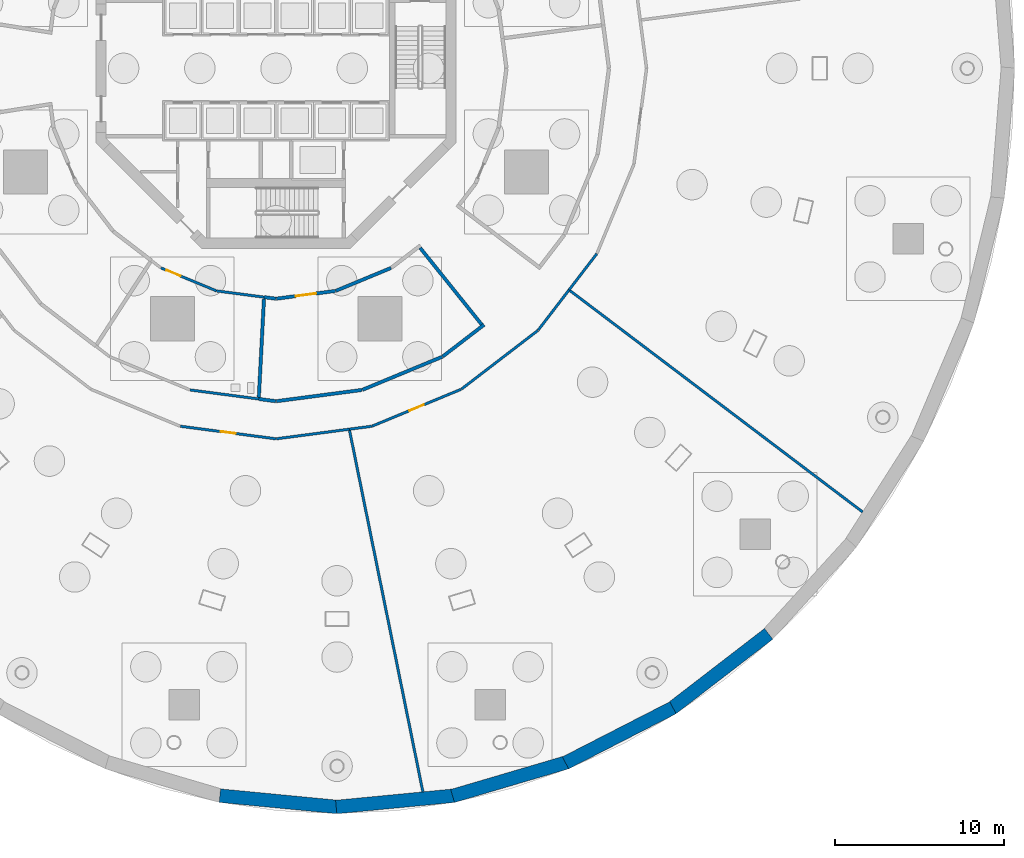
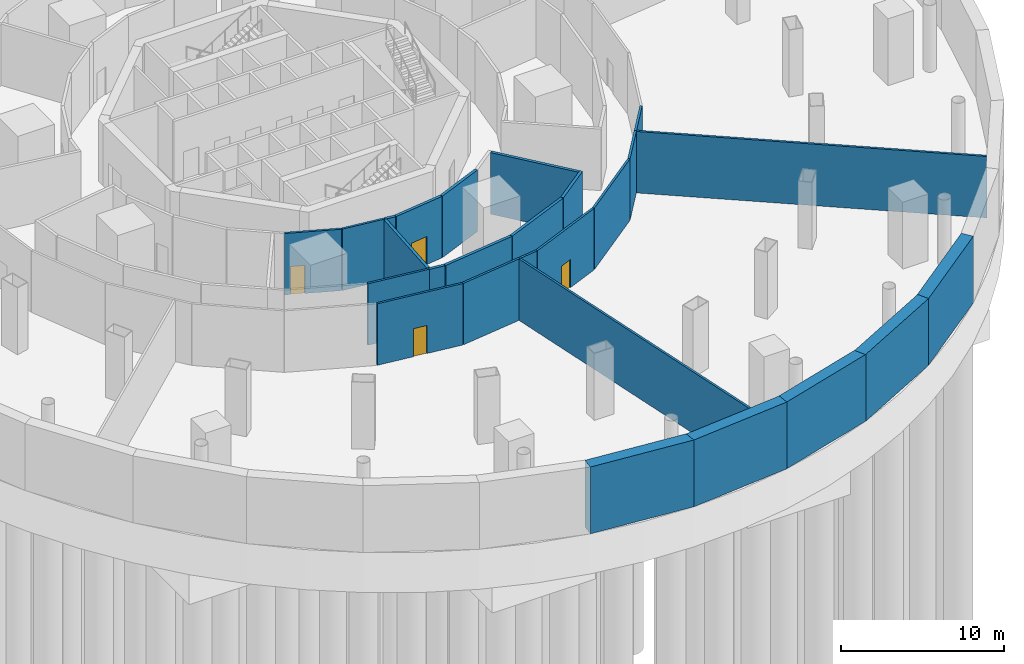
# One storey, part 5 of 14: 26 walls, 4 doors, 4 openings.
"""IFC4 building model written with IfcOpenShell, lengths in metres."""

from ifc_helpers import new_model, si_unit, direction, frame, frame_2d, origin, place, context, subcontext, project, spatial, rectangle, extrude, material, layer, layer_set, type_object, element, fill, save


model = new_model("IFC4")

# Units and contexts
model_context = context("Model", 3, precision=1e-05, world=origin(), true_north=direction((0.0, 1.0)))
body_context = subcontext(model_context, "Body", "Model", "MODEL_VIEW")
ifc_project = project(units=[si_unit("LENGTHUNIT", "METRE"), si_unit("AREAUNIT", "SQUARE_METRE"), si_unit("VOLUMEUNIT", "CUBIC_METRE"), si_unit("PLANEANGLEUNIT", "RADIAN"), si_unit("MASSUNIT", "GRAM", prefix="KILO")], contexts=[model_context])

# Site, building, storey
site_placement = place(None, origin())
site = spatial("IfcSite", under=ifc_project, at=site_placement, CompositionType="ELEMENT")
building_placement = place(site_placement, origin())
building = spatial("IfcBuilding", under=site, at=building_placement, Name="Nagisa Residences", CompositionType="ELEMENT")
storey_placement = place(building_placement, frame((0.0, 0.0, -10.0)))
storey = spatial("IfcBuildingStorey", under=building, at=storey_placement, Name="B2", CompositionType="ELEMENT", Elevation=-10.0)

# Walls
ifc_material_1 = material(Name="Concrete C40", Category="concrete")
ifc_layer_1 = layer(ifc_material_1, 0.800048828125)
ifc_layer_set_1 = layer_set([ifc_layer_1], Name="Basement retaining wall 800")
wall_type_1 = type_object("IfcWallType", Name="Basement retaining wall 800", PredefinedType="SOLIDWALL", material=ifc_layer_set_1)
wall_1_placement = place(storey_placement, frame((29.07958984375, -33.381103515625, 0.0), z_axis=(0.0, 0.0, 1.0), x_axis=(-0.792235092298, -0.610215993343, 0.0)))
element("IfcWall", 1, at=wall_1_placement, inside=storey, type_object=wall_type_1, Name="wall:B2:ret06", PredefinedType="SOLIDWALL", context=body_context, shape_type="SweptSolid", body=[
    extrude(rectangle(XDim=7.237548828125, YDim=0.800048828125, at=frame_2d((3.61865234375, 0.0))), origin(), (0.0, 0.0, 1.0), 5.0),
])
wall_2_placement = place(storey_placement, frame((23.429931640625, -37.744140625, 0.0), z_axis=(0.0, 0.0, 1.0), x_axis=(-0.889762541272, -0.456423728732, 0.0)))
element("IfcWall", 2, at=wall_2_placement, inside=storey, type_object=wall_type_1, Name="wall:B2:ret07", PredefinedType="SOLIDWALL", context=body_context, shape_type="SweptSolid", body=[
    extrude(rectangle(XDim=7.128173828125, YDim=0.800048828125, at=frame_2d((3.56396484375, 0.0))), origin(), (0.0, 0.0, 1.0), 5.0),
])
wall_3_placement = place(storey_placement, frame((17.179931640625, -40.96044921875, 0.0), z_axis=(0.0, 0.0, 1.0), x_axis=(-0.959194279998, -0.282747826197, 0.0)))
element("IfcWall", 3, at=wall_3_placement, inside=storey, type_object=wall_type_1, Name="wall:B2:ret08", PredefinedType="SOLIDWALL", context=body_context, shape_type="SweptSolid", body=[
    extrude(rectangle(XDim=7.0458984375, YDim=0.800048828125, at=frame_2d((3.52294921875, 0.0))), origin(), (0.0, 0.0, 1.0), 5.0),
])
for number, where, z_axis, x_axis, name in (
    (4, (10.51953125, -42.93359375, 0.0), (0.0, 0.0, 1.0), (-0.995401742981, -0.095788152034, 0.0), "wall:B2:ret09"),
    (5, (3.649658203125, -43.604248046875, 0.0), (0.0, 0.0, 1.0), (-0.995401742981, 0.095788152034, 0.0), "wall:B2:ret10"),
):
    element("IfcWall", number, at=place(storey_placement, frame(where, z_axis=z_axis, x_axis=x_axis)), inside=storey, type_object=wall_type_1, Name=name, PredefinedType="SOLIDWALL", context=body_context, shape_type="SweptSolid", body=[
        extrude(rectangle(XDim=7.00146484375, YDim=0.800048828125, at=frame_2d((3.500732421875, 0.0))), origin(), (0.0, 0.0, 1.0), 5.0),
    ])
ifc_material_2 = material(Name="Gypsum board on steel studs", Category="steel")
ifc_layer_2 = layer(ifc_material_2, 0.199951171875)
ifc_layer_set_2 = layer_set([ifc_layer_2], Name="Plant room wall EI120 200")
wall_type_2 = type_object("IfcWallType", Name="Plant room wall EI120 200", PredefinedType="PARTITIONING", material=ifc_layer_set_2)
wall_4_placement = place(storey_placement, frame((-1.02294921875, -19.51708984375, 0.0), z_axis=(0.0, 0.0, 1.0), x_axis=(0.991428116695, -0.130653317704, 0.0)))
element("IfcWall", 6, at=wall_4_placement, inside=storey, type_object=wall_type_2, Name="wall:B2:am069", PredefinedType="PARTITIONING", context=body_context, shape_type="SweptSolid", body=[
    extrude(rectangle(XDim=1.0166015625, YDim=0.199951171875, at=frame_2d((0.50830078125, 0.0))), origin(), (0.0, 0.0, 1.0), 4.60009765625),
])
wall_5_placement = place(storey_placement, frame((-0.713134765625, -13.60693359375, 0.0), z_axis=(0.0, 0.0, 1.0), x_axis=(-0.052327572808, -0.998629974077, 0.0)))
element("IfcWall", 7, at=wall_5_placement, inside=storey, type_object=wall_type_2, Name="wall:B2:am070", PredefinedType="PARTITIONING", context=body_context, shape_type="SweptSolid", body=[
    extrude(rectangle(XDim=5.818115234375, YDim=0.199951171875, at=frame_2d((2.9091796875, 0.0))), origin(), (0.0, 0.0, 1.0), 4.60009765625),
])
wall_6_placement = place(storey_placement, frame((0.01513671875, -19.64990234375, 0.0), z_axis=(0.0, 0.0, 1.0), x_axis=(0.991441907417, 0.13054862779, 0.0)))
element("IfcWall", 8, at=wall_6_placement, inside=storey, type_object=wall_type_2, Name="wall:B2:am071", PredefinedType="PARTITIONING", context=body_context, shape_type="SweptSolid", body=[
    extrude(rectangle(XDim=5.099853515625, YDim=0.199951171875, at=frame_2d((2.5498046875, 0.0))), origin(), (0.0, 0.0, 1.0), 4.60009765625),
])
wall_7_placement = place(storey_placement, frame((-0.01513671875, -13.597900390625, 0.0), z_axis=(0.0, 0.0, 1.0), x_axis=(-0.991473310532, 0.130309917135, 0.0)))
element("IfcWall", 9, at=wall_7_placement, inside=storey, type_object=wall_type_2, Name="wall:B2:am072", PredefinedType="PARTITIONING", context=body_context, shape_type="SweptSolid", body=[
    extrude(rectangle(XDim=0.69873046875, YDim=0.199951171875, at=frame_2d((0.349365234375, 0.0))), origin(), (0.0, 0.0, 1.0), 4.60009765625),
])

# Wall, opening, door
wall_8_placement = place(storey_placement, frame((3.5048828125, -13.138671875, 0.0), z_axis=(0.0, 0.0, 1.0), x_axis=(-0.991452406768, -0.130468866457, 0.0)))
wall_8 = element("IfcWall", 10, at=wall_8_placement, inside=storey, type_object=wall_type_2, Name="wall:B2:am076", PredefinedType="PARTITIONING", context=body_context, shape_type="SweptSolid", body=[
    extrude(rectangle(XDim=3.519775390625, YDim=0.199951171875, at=frame_2d((1.759765625, 0.0))), origin(), (0.0, 0.0, 1.0), 4.60009765625),
])
opening_1_placement = place(wall_8_placement, frame((1.159912109375, 0.0, 0.0)))
opening_1 = element("IfcOpeningElement", 11, at=opening_1_placement, cuts=wall_8, Name="Opening B2-A06", PredefinedType="OPENING", context=body_context, shape_type="SweptSolid", body=[
    extrude(rectangle(XDim=1.199951171875, YDim=2.10009765625, at=frame_2d((0.60009765625, 1.050048828125))), frame((0.0, 0.10986328125, 0.0), z_axis=(0.0, -1.0, 0.0), x_axis=(1.0, 0.0, 0.0)), (0.0, 0.0, 1.0), 0.219970703125),
])
ifc_material_3 = material(Name="Steel fire door", Category="steel")
door_type_1 = type_object("IfcDoorType", Name="Fire door EI120 1200x2100 single swing", OperationType="NOTDEFINED", PredefinedType="DOOR", material=ifc_material_3)
door_1_placement = place(opening_1_placement, frame((1.199951171875, 0.0, 0.0), x_axis=(-1.0, 0.0, 0.0)))
door_1 = element("IfcDoor", 12, at=door_1_placement, inside=storey, type_object=door_type_1, Name="Chilled water plant room door", OperationType="SINGLE_SWING_RIGHT", OverallHeight=2.10009765625, OverallWidth=1.199951171875, PredefinedType="DOOR", context=body_context, shape_type="SweptSolid", body=[
    extrude(rectangle(XDim=1.199951171875, YDim=2.10009765625, at=frame_2d((0.60009765625, 1.050048828125))), frame((0.0, 0.02490234375, 0.0), z_axis=(0.0, -1.0, 0.0), x_axis=(1.0, 0.0, 0.0)), (0.0, 0.0, 1.0), 0.050048828125),
])
fill(opening_1, door_1)

# Walls
wall_9_placement = place(storey_placement, frame((5.100341796875, -18.976318359375, 0.0), z_axis=(0.0, 0.0, 1.0), x_axis=(0.9238779676, 0.382687210373, 0.0)))
element("IfcWall", 13, at=wall_9_placement, inside=storey, type_object=wall_type_2, Name="wall:B2:am078", PredefinedType="PARTITIONING", context=body_context, shape_type="SweptSolid", body=[
    extrude(rectangle(XDim=5.099853515625, YDim=0.199951171875, at=frame_2d((2.5498046875, 0.0))), origin(), (0.0, 0.0, 1.0), 4.60009765625),
])
wall_10_placement = place(storey_placement, frame((6.785888671875, -11.78369140625, 0.0), z_axis=(0.0, 0.0, 1.0), x_axis=(-0.92386297064, -0.382723413813, 0.0)))
element("IfcWall", 14, at=wall_10_placement, inside=storey, type_object=wall_type_2, Name="wall:B2:am079", PredefinedType="PARTITIONING", context=body_context, shape_type="SweptSolid", body=[
    extrude(rectangle(XDim=3.52001953125, YDim=0.199951171875, at=frame_2d((1.760009765625, 0.0))), origin(), (0.0, 0.0, 1.0), 4.60009765625),
])
wall_11_placement = place(storey_placement, frame((9.837890625, -17.009765625, 0.0), z_axis=(0.0, 0.0, 1.0), x_axis=(0.793349451978, 0.608766496324, 0.0)))
element("IfcWall", 15, at=wall_11_placement, inside=storey, type_object=wall_type_2, Name="wall:B2:am083", PredefinedType="PARTITIONING", context=body_context, shape_type="SweptSolid", body=[
    extrude(rectangle(XDim=3.0751953125, YDim=0.199951171875, at=frame_2d((1.53759765625, 0.0))), origin(), (0.0, 0.0, 1.0), 4.60009765625),
])
wall_12_placement = place(storey_placement, frame((12.1357421875, -15.12060546875, 0.0), z_axis=(0.0, 0.0, 1.0), x_axis=(-0.625936206577, 0.779874262491, 0.0)))
element("IfcWall", 16, at=wall_12_placement, inside=storey, type_object=wall_type_2, Name="wall:B2:am087", PredefinedType="PARTITIONING", context=body_context, shape_type="SweptSolid", body=[
    extrude(rectangle(XDim=5.801513671875, YDim=0.199951171875, at=frame_2d((2.90087890625, 0.0))), origin(), (0.0, 0.0, 1.0), 4.60009765625),
])
ifc_material_4 = material(Name="Gypsum board on steel studs", Category="steel")
ifc_layer_3 = layer(ifc_material_4, 0.14990234375)
ifc_layer_set_3 = layer_set([ifc_layer_3], Name="Room partition EI60 150")
wall_type_3 = type_object("IfcWallType", Name="Room partition EI60 150", PredefinedType="PARTITIONING", material=ifc_layer_set_3)
wall_13_placement = place(storey_placement, frame((-5.074462890625, -18.983642578125, 0.0), z_axis=(0.0, 0.0, 1.0), x_axis=(0.991443107789, -0.13053951133, 0.0)))
element("IfcWall", 17, at=wall_13_placement, inside=storey, type_object=wall_type_3, Name="wall:B2:am020", PredefinedType="PARTITIONING", context=body_context, shape_type="SweptSolid", body=[
    extrude(rectangle(XDim=4.08642578125, YDim=0.14990234375, at=frame_2d((2.043212890625, 0.0))), origin(), (0.0, 0.0, 1.0), 4.60009765625),
])

# Wall, opening, door
wall_14_placement = place(storey_placement, frame((-3.53076171875, -13.132080078125, 0.0), z_axis=(0.0, 0.0, 1.0), x_axis=(-0.923881838111, 0.382677866108, 0.0)))
wall_14 = element("IfcWall", 18, at=wall_14_placement, inside=storey, type_object=wall_type_3, Name="wall:B2:am021", PredefinedType="PARTITIONING", context=body_context, shape_type="SweptSolid", body=[
    extrude(rectangle(XDim=3.52685546875, YDim=0.14990234375, at=frame_2d((1.763427734375, 0.0))), origin(), (0.0, 0.0, 1.0), 4.60009765625),
])
opening_2_placement = place(wall_14_placement, frame((2.281005859375, 0.0, 0.0)))
opening_2 = element("IfcOpeningElement", 19, at=opening_2_placement, cuts=wall_14, Name="Opening B2-A05", PredefinedType="OPENING", context=body_context, shape_type="SweptSolid", body=[
    extrude(rectangle(XDim=0.89990234375, YDim=2.10009765625, at=frame_2d((0.449951171875, 1.050048828125))), frame((0.0, 0.0849609375, 0.0), z_axis=(0.0, -1.0, 0.0), x_axis=(1.0, 0.0, 0.0)), (0.0, 0.0, 1.0), 0.169921875),
])
ifc_material_5 = material(Name="Steel fire door", Category="steel")
door_type_2 = type_object("IfcDoorType", Name="Fire door EI30 900x2100 single swing", OperationType="NOTDEFINED", PredefinedType="DOOR", material=ifc_material_5)
door_2_placement = place(opening_2_placement, origin())
door_2 = element("IfcDoor", 20, at=door_2_placement, inside=storey, type_object=door_type_2, Name="Staff WC door", OperationType="SINGLE_SWING_RIGHT", OverallHeight=2.10009765625, OverallWidth=0.89990234375, PredefinedType="DOOR", context=body_context, shape_type="SweptSolid", body=[
    extrude(rectangle(XDim=0.89990234375, YDim=2.10009765625, at=frame_2d((0.449951171875, 1.050048828125))), frame((0.0, 0.02490234375, 0.0), z_axis=(0.0, -1.0, 0.0), x_axis=(1.0, 0.0, 0.0)), (0.0, 0.0, 1.0), 0.050048828125),
])
fill(opening_2, door_2)

# Wall
wall_15_placement = place(storey_placement, frame((-0.7080078125, -13.5068359375, 0.0), z_axis=(0.0, 0.0, 1.0), x_axis=(-0.991443994311, 0.130532778046, 0.0)))
element("IfcWall", 21, at=wall_15_placement, inside=storey, type_object=wall_type_3, Name="wall:B2:am022", PredefinedType="PARTITIONING", context=body_context, shape_type="SweptSolid", body=[
    extrude(rectangle(XDim=2.82421875, YDim=0.14990234375, at=frame_2d((1.412109375, 0.0))), origin(), (0.0, 0.0, 1.0), 4.60009765625),
])

# Wall, opening, door
wall_16_placement = place(storey_placement, frame((-0.01171875, -21.869140625, 0.0), z_axis=(0.0, 0.0, 1.0), x_axis=(-0.991444062143, 0.130532262837, 0.0)))
wall_16 = element("IfcWall", 22, at=wall_16_placement, inside=storey, type_object=wall_type_3, Name="wall:B2:am023", PredefinedType="PARTITIONING", context=body_context, shape_type="SweptSolid", body=[
    extrude(rectangle(XDim=5.685791015625, YDim=0.14990234375, at=frame_2d((2.8427734375, 0.0))), origin(), (0.0, 0.0, 1.0), 4.60009765625),
])
opening_3_placement = place(wall_16_placement, frame((2.392822265625, 0.0, 0.0)))
opening_3 = element("IfcOpeningElement", 23, at=opening_3_placement, cuts=wall_16, Name="Opening B2-A12", PredefinedType="OPENING", context=body_context, shape_type="SweptSolid", body=[
    extrude(rectangle(XDim=0.89990234375, YDim=2.10009765625, at=frame_2d((0.449951171875, 1.050048828125))), frame((0.0, 0.0849609375, 0.0), z_axis=(0.0, -1.0, 0.0), x_axis=(1.0, 0.0, 0.0)), (0.0, 0.0, 1.0), 0.169921875),
])
door_3_placement = place(opening_3_placement, origin())
door_3 = element("IfcDoor", 24, at=door_3_placement, inside=storey, type_object=door_type_2, Name="Maintenance store door", OperationType="SINGLE_SWING_LEFT", OverallHeight=2.10009765625, OverallWidth=0.89990234375, PredefinedType="DOOR", context=body_context, shape_type="SweptSolid", body=[
    extrude(rectangle(XDim=0.89990234375, YDim=2.10009765625, at=frame_2d((0.449951171875, 1.050048828125))), frame((0.0, 0.02490234375, 0.0), z_axis=(0.0, -1.0, 0.0), x_axis=(1.0, 0.0, 0.0)), (0.0, 0.0, 1.0), 0.050048828125),
])
fill(opening_3, door_3)

# Walls
wall_17_placement = place(storey_placement, frame((4.322509765625, -21.3017578125, 0.0), z_axis=(0.0, 0.0, 1.0), x_axis=(-0.991449134579, -0.130493729895, 0.0)))
element("IfcWall", 25, at=wall_17_placement, inside=storey, type_object=wall_type_3, Name="wall:B2:am025", PredefinedType="PARTITIONING", context=body_context, shape_type="SweptSolid", body=[
    extrude(rectangle(XDim=4.347900390625, YDim=0.14990234375, at=frame_2d((2.173828125, 0.0))), origin(), (0.0, 0.0, 1.0), 4.60009765625),
])
wall_18_placement = place(storey_placement, frame((4.337646484375, -21.37548828125, 0.0), z_axis=(0.0, 0.0, 1.0), x_axis=(0.198863021453, -0.980027294874, 0.0)))
element("IfcWall", 26, at=wall_18_placement, inside=storey, type_object=wall_type_3, Name="wall:B2:am026", PredefinedType="PARTITIONING", context=body_context, shape_type="SweptSolid", body=[
    extrude(rectangle(XDim=21.769287109375, YDim=0.14990234375, at=frame_2d((10.884765625, 0.0))), origin(), (0.0, 0.0, 1.0), 4.60009765625),
])
wall_19_placement = place(storey_placement, frame((5.64892578125, -21.126953125, 0.0), z_axis=(0.0, 0.0, 1.0), x_axis=(-0.991427566975, -0.13065748904, 0.0)))
element("IfcWall", 27, at=wall_19_placement, inside=storey, type_object=wall_type_3, Name="wall:B2:am029", PredefinedType="PARTITIONING", context=body_context, shape_type="SweptSolid", body=[
    extrude(rectangle(XDim=1.337890625, YDim=0.14990234375, at=frame_2d((0.6689453125, 0.0))), origin(), (0.0, 0.0, 1.0), 4.60009765625),
])

# Wall, opening, door
wall_20_placement = place(storey_placement, frame((10.92431640625, -18.945068359375, 0.0), z_axis=(0.0, 0.0, 1.0), x_axis=(-0.923876568882, -0.38269058712, 0.0)))
wall_20 = element("IfcWall", 28, at=wall_20_placement, inside=storey, type_object=wall_type_3, Name="wall:B2:am031", PredefinedType="PARTITIONING", context=body_context, shape_type="SweptSolid", body=[
    extrude(rectangle(XDim=5.685546875, YDim=0.14990234375, at=frame_2d((2.8427734375, 0.0))), origin(), (0.0, 0.0, 1.0), 4.60009765625),
])
opening_4_placement = place(wall_20_placement, frame((2.392822265625, 0.0, 0.0)))
opening_4 = element("IfcOpeningElement", 29, at=opening_4_placement, cuts=wall_20, Name="Opening B2-A13", PredefinedType="OPENING", context=body_context, shape_type="SweptSolid", body=[
    extrude(rectangle(XDim=0.89990234375, YDim=2.10009765625, at=frame_2d((0.449951171875, 1.050048828125))), frame((0.0, 0.0849609375, 0.0), z_axis=(0.0, -1.0, 0.0), x_axis=(1.0, 0.0, 0.0)), (0.0, 0.0, 1.0), 0.169921875),
])
door_4_placement = place(opening_4_placement, origin())
door_4 = element("IfcDoor", 30, at=door_4_placement, inside=storey, type_object=door_type_2, Name="Chemical store door", OperationType="SINGLE_SWING_RIGHT", OverallHeight=2.10009765625, OverallWidth=0.89990234375, PredefinedType="DOOR", context=body_context, shape_type="SweptSolid", body=[
    extrude(rectangle(XDim=0.89990234375, YDim=2.10009765625, at=frame_2d((0.449951171875, 1.050048828125))), frame((0.0, 0.02490234375, 0.0), z_axis=(0.0, -1.0, 0.0), x_axis=(1.0, 0.0, 0.0)), (0.0, 0.0, 1.0), 0.050048828125),
])
fill(opening_4, door_4)

# Walls
wall_21_placement = place(storey_placement, frame((15.45556640625, -15.47216796875, 0.0), z_axis=(0.0, 0.0, 1.0), x_axis=(-0.793356107398, -0.608757822828, 0.0)))
element("IfcWall", 31, at=wall_21_placement, inside=storey, type_object=wall_type_3, Name="wall:B2:am033", PredefinedType="PARTITIONING", context=body_context, shape_type="SweptSolid", body=[
    extrude(rectangle(XDim=5.685546875, YDim=0.14990234375, at=frame_2d((2.8427734375, 0.0))), origin(), (0.0, 0.0, 1.0), 4.60009765625),
])
wall_22_placement = place(storey_placement, frame((17.294921875, -13.080078125, 0.0), z_axis=(0.0, 0.0, 1.0), x_axis=(-0.608756728417, -0.79335694716, 0.0)))
element("IfcWall", 32, at=wall_22_placement, inside=storey, type_object=wall_type_3, Name="wall:B2:am035", PredefinedType="PARTITIONING", context=body_context, shape_type="SweptSolid", body=[
    extrude(rectangle(XDim=2.994140625, YDim=0.14990234375, at=frame_2d((1.4970703125, 0.0))), origin(), (0.0, 0.0, 1.0), 4.60009765625),
])
wall_23_placement = place(storey_placement, frame((17.354736328125, -13.12548828125, 0.0), z_axis=(0.0, 0.0, 1.0), x_axis=(0.797578767878, -0.603214811681, 0.0)))
element("IfcWall", 33, at=wall_23_placement, inside=storey, type_object=wall_type_3, Name="wall:B2:am036", PredefinedType="PARTITIONING", context=body_context, shape_type="SweptSolid", body=[
    extrude(rectangle(XDim=21.656494140625, YDim=0.14990234375, at=frame_2d((10.828125, 0.0))), origin(), (0.0, 0.0, 1.0), 4.60009765625),
])
wall_24_placement = place(storey_placement, frame((18.933349609375, -10.94482421875, 0.0), z_axis=(0.0, 0.0, 1.0), x_axis=(-0.608759040366, -0.793355173155, 0.0)))
element("IfcWall", 34, at=wall_24_placement, inside=storey, type_object=wall_type_3, Name="wall:B2:am037", PredefinedType="PARTITIONING", context=body_context, shape_type="SweptSolid", body=[
    extrude(rectangle(XDim=2.69140625, YDim=0.14990234375, at=frame_2d((1.345703125, 0.0))), origin(), (0.0, 0.0, 1.0), 4.60009765625),
])

save(model, "model.ifc")
